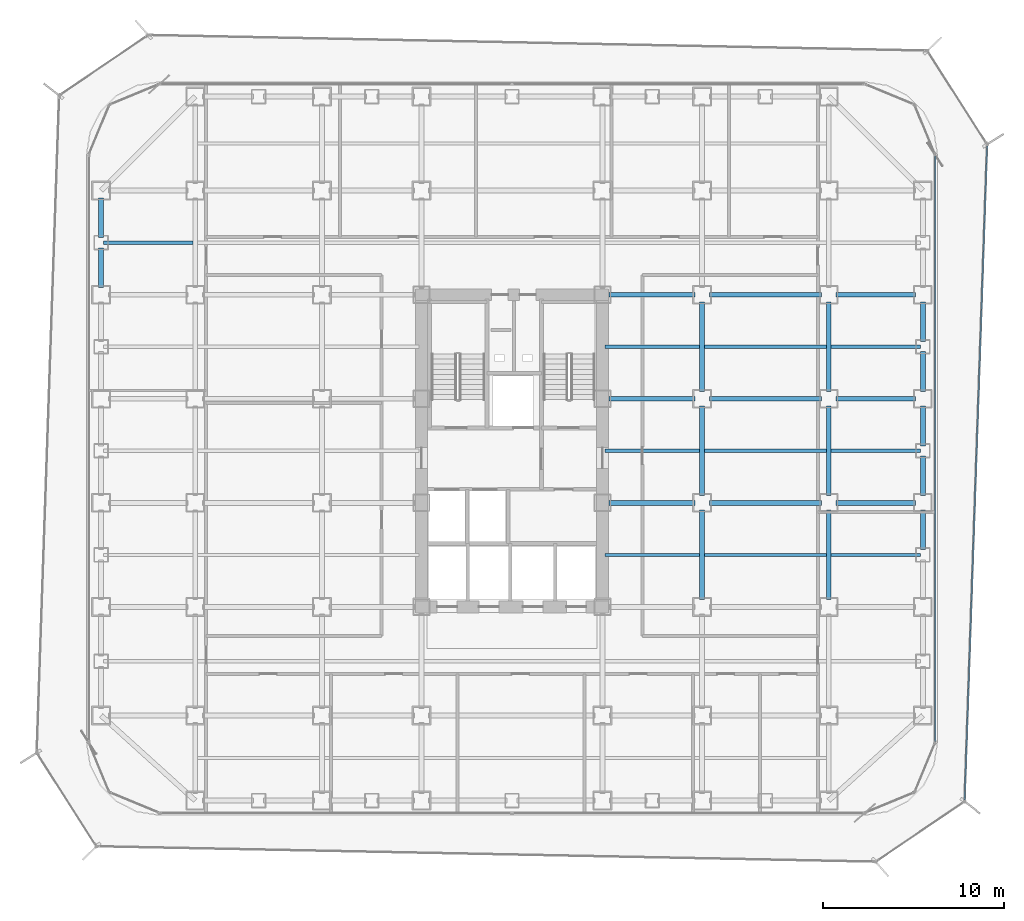
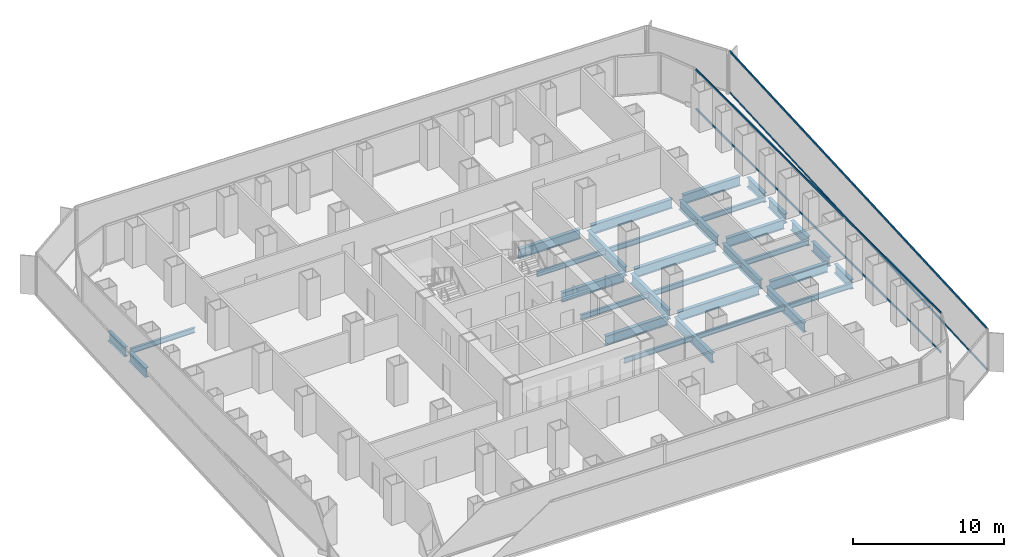
# One storey, part 9 of 22: 32 beams, 4 members, 2 elements without a shape of their own.
"""IFC4 building model written with IfcOpenShell, lengths in metres."""

from ifc_helpers import new_model, si_unit, direction, frame, origin, origin_2d, place, context, subcontext, project, spatial, hollow_rectangle, i_section, extrude, source, transform, mapped, material, layer, layer_set, material_profile, profile_set, type_object, element, aggregate, save


model = new_model("IFC4")

# Units and contexts
model_context = context("Model", 3, precision=1e-05, world=origin(), true_north=direction((0.0, 1.0)))
body_context = subcontext(model_context, "Body", "Model", "MODEL_VIEW")
ifc_project = project(units=[si_unit("LENGTHUNIT", "METRE"), si_unit("AREAUNIT", "SQUARE_METRE"), si_unit("VOLUMEUNIT", "CUBIC_METRE"), si_unit("PLANEANGLEUNIT", "RADIAN"), si_unit("MASSUNIT", "GRAM", prefix="KILO")], contexts=[model_context])

# Site, building, storey
site_placement = place(None, origin())
site = spatial("IfcSite", under=ifc_project, at=site_placement, CompositionType="ELEMENT")
building_placement = place(site_placement, origin())
building = spatial("IfcBuilding", under=site, at=building_placement, Name="Kolveth Station Tower", CompositionType="ELEMENT")
storey_placement = place(building_placement, frame((0.0, 0.0, 84.60009765625)))
storey = spatial("IfcBuildingStorey", under=building, at=storey_placement, Name="L22", CompositionType="ELEMENT", Elevation=84.60009765625)

# Beams
ifc_material_1 = material(Name="Steel S355", Category="steel")
ifc_material_profile_1 = material_profile(ifc_material_1, i_section(OverallWidth=0.26904296875, OverallDepth=0.77490234375, WebThickness=0.01708984375, FlangeThickness=0.0283203125, at=origin_2d()), Name="W760x220")
ifc_profile_set_1 = profile_set([ifc_material_profile_1], Name="Steel S355")
beam_type_1 = type_object("IfcBeamType", Name="Beam_SP1", PredefinedType="SPANDREL", material=ifc_profile_set_1)
shared_shape_1 = source(origin(), body_context, "Body", "SweptSolid", [
    extrude(i_section(OverallWidth=0.26904296875, OverallDepth=0.77490234375, WebThickness=0.01708984375, FlangeThickness=0.0283203125, at=origin_2d()), origin(), (0.0, 0.0, 1.0), 2.2001953125),
])
for number, where, z_axis, x_axis, name in (
    (1, (0.800048828125, 31.89990234375, -0.66748046875), (0.0, 1.0, 0.0), (-1.0, 0.0, 0.0), "L22 Perimeter Spandrel BM-L22-PW-10"),
    (2, (46.199951171875, 20.39990234375, -0.66748046875), (0.0, 1.0, 0.0), (-1.0, 0.0, 0.0), "L22 Perimeter Spandrel BM-L22-PE-6"),
    (3, (46.199951171875, 23.39990234375, -0.66748046875), (0.0, 1.0, 0.0), (-1.0, 0.0, 0.0), "L22 Perimeter Spandrel BM-L22-PE-7"),
):
    element("IfcBeam", number, at=place(storey_placement, frame(where, z_axis=z_axis, x_axis=x_axis)), inside=storey, type_object=beam_type_1, Name=name, PredefinedType="SPANDREL", context=body_context, shape_type="MappedRepresentation", body=[
        mapped(shared_shape_1, transform((0.0, 0.0, 0.0), x_axis=(1.0, 0.0, 0.0), y_axis=(0.0, 1.0, 0.0), z_axis=(0.0, 0.0, 1.0), scale=1.0)),
    ])
shared_shape_2 = source(origin(), body_context, "Body", "SweptSolid", [
    extrude(i_section(OverallWidth=0.26904296875, OverallDepth=0.77490234375, WebThickness=0.01708984375, FlangeThickness=0.0283203125, at=origin_2d()), origin(), (0.0, 0.0, 1.0), 2.190185546875),
])
for number, where, z_axis, x_axis, name in (
    (4, (0.800048828125, 29.14990234375, -0.66748046875), (0.0, 1.0, 0.0), (-1.0, 0.0, 0.0), "L22 Perimeter Spandrel BM-L22-PW-9"),
    (5, (46.199951171875, 14.659912109375, -0.66748046875), (0.0, 1.0, 0.0), (-1.0, 0.0, 0.0), "L22 Perimeter Spandrel BM-L22-PE-4"),
    (6, (46.199951171875, 17.64990234375, -0.66748046875), (0.0, 1.0, 0.0), (-1.0, 0.0, 0.0), "L22 Perimeter Spandrel BM-L22-PE-5"),
    (7, (46.199951171875, 26.159912109375, -0.66748046875), (0.0, 1.0, 0.0), (-1.0, 0.0, 0.0), "L22 Perimeter Spandrel BM-L22-PE-8"),
):
    element("IfcBeam", number, at=place(storey_placement, frame(where, z_axis=z_axis, x_axis=x_axis)), inside=storey, type_object=beam_type_1, Name=name, PredefinedType="SPANDREL", context=body_context, shape_type="MappedRepresentation", body=[
        mapped(shared_shape_2, transform((0.0, 0.0, 0.0), x_axis=(1.0, 0.0, 0.0), y_axis=(0.0, 1.0, 0.0), z_axis=(0.0, 0.0, 1.0), scale=1.0)),
    ])
ifc_material_profile_2 = material_profile(ifc_material_1, i_section(OverallWidth=0.26708984375, OverallDepth=0.76611328125, WebThickness=0.014892578125, FlangeThickness=0.023681640625, at=origin_2d()), Name="W760x185")
ifc_profile_set_2 = profile_set([ifc_material_profile_2], Name="Steel S355")
beam_type_2 = type_object("IfcBeamType", Name="Beam_B3", PredefinedType="BEAM", material=ifc_profile_set_2)
shared_shape_3 = source(origin(), body_context, "Body", "SweptSolid", [
    extrude(i_section(OverallWidth=0.26708984375, OverallDepth=0.76611328125, WebThickness=0.014892578125, FlangeThickness=0.023681640625, at=origin_2d()), origin(), (0.0, 0.0, 1.0), 4.400146484375),
])
for number, where, z_axis, x_axis, name in (
    (8, (41.39990234375, 17.25, -0.6630859375), (1.0, 0.0, 0.0), (0.0, 1.0, 0.0), "L22 Primary Girder BM-L22-GY172-7"),
    (9, (41.39990234375, 23.0, -0.6630859375), (1.0, 0.0, 0.0), (0.0, 1.0, 0.0), "L22 Primary Girder BM-L22-GY230-7"),
    (10, (41.39990234375, 28.75, -0.6630859375), (1.0, 0.0, 0.0), (0.0, 1.0, 0.0), "L22 Primary Girder BM-L22-GY287-7"),
):
    element("IfcBeam", number, at=place(storey_placement, frame(where, z_axis=z_axis, x_axis=x_axis)), inside=storey, type_object=beam_type_2, Name=name, PredefinedType="BEAM", context=body_context, shape_type="MappedRepresentation", body=[
        mapped(shared_shape_3, transform((0.0, 0.0, 0.0), x_axis=(1.0, 0.0, 0.0), y_axis=(0.0, 1.0, 0.0), z_axis=(0.0, 0.0, 1.0), scale=1.0)),
    ])
shared_shape_4 = source(origin(), body_context, "Body", "SweptSolid", [
    extrude(i_section(OverallWidth=0.26708984375, OverallDepth=0.76611328125, WebThickness=0.014892578125, FlangeThickness=0.023681640625, at=origin_2d()), origin(), (0.0, 0.0, 1.0), 6.2001953125),
])
for number, where, z_axis, x_axis, name in (
    (11, (34.39990234375, 17.25, -0.6630859375), (1.0, 0.0, 0.0), (0.0, 1.0, 0.0), "L22 Primary Girder BM-L22-GY172-6"),
    (12, (34.39990234375, 23.0, -0.6630859375), (1.0, 0.0, 0.0), (0.0, 1.0, 0.0), "L22 Primary Girder BM-L22-GY230-6"),
    (13, (34.39990234375, 28.75, -0.6630859375), (1.0, 0.0, 0.0), (0.0, 1.0, 0.0), "L22 Primary Girder BM-L22-GY287-6"),
):
    element("IfcBeam", number, at=place(storey_placement, frame(where, z_axis=z_axis, x_axis=x_axis)), inside=storey, type_object=beam_type_2, Name=name, PredefinedType="BEAM", context=body_context, shape_type="MappedRepresentation", body=[
        mapped(shared_shape_4, transform((0.0, 0.0, 0.0), x_axis=(1.0, 0.0, 0.0), y_axis=(0.0, 1.0, 0.0), z_axis=(0.0, 0.0, 1.0), scale=1.0)),
    ])
shared_shape_5 = source(origin(), body_context, "Body", "SweptSolid", [
    extrude(i_section(OverallWidth=0.26708984375, OverallDepth=0.76611328125, WebThickness=0.014892578125, FlangeThickness=0.023681640625, at=origin_2d()), origin(), (0.0, 0.0, 1.0), 4.739990234375),
])
for number, where, z_axis, x_axis, name in (
    (14, (28.860107421875, 17.25, -0.6630859375), (1.0, 0.0, 0.0), (0.0, 1.0, 0.0), "L22 Primary Girder BM-L22-GY172-5"),
    (15, (28.860107421875, 23.0, -0.6630859375), (1.0, 0.0, 0.0), (0.0, 1.0, 0.0), "L22 Primary Girder BM-L22-GY230-5"),
    (16, (28.860107421875, 28.75, -0.6630859375), (1.0, 0.0, 0.0), (0.0, 1.0, 0.0), "L22 Primary Girder BM-L22-GY287-5"),
):
    element("IfcBeam", number, at=place(storey_placement, frame(where, z_axis=z_axis, x_axis=x_axis)), inside=storey, type_object=beam_type_2, Name=name, PredefinedType="BEAM", context=body_context, shape_type="MappedRepresentation", body=[
        mapped(shared_shape_5, transform((0.0, 0.0, 0.0), x_axis=(1.0, 0.0, 0.0), y_axis=(0.0, 1.0, 0.0), z_axis=(0.0, 0.0, 1.0), scale=1.0)),
    ])
shared_shape_6 = source(origin(), body_context, "Body", "SweptSolid", [
    extrude(i_section(OverallWidth=0.26708984375, OverallDepth=0.76611328125, WebThickness=0.014892578125, FlangeThickness=0.023681640625, at=origin_2d()), origin(), (0.0, 0.0, 1.0), 4.9501953125),
])
for number, where, z_axis, x_axis, name in (
    (17, (34.0, 11.89990234375, -0.6630859375), (0.0, 1.0, 0.0), (-1.0, 0.0, 0.0), "L22 Primary Girder BM-L22-GX340-3"),
    (18, (34.0, 17.64990234375, -0.6630859375), (0.0, 1.0, 0.0), (-1.0, 0.0, 0.0), "L22 Primary Girder BM-L22-GX340-4"),
    (19, (34.0, 23.39990234375, -0.6630859375), (0.0, 1.0, 0.0), (-1.0, 0.0, 0.0), "L22 Primary Girder BM-L22-GX340-5"),
    (20, (41.0, 11.89990234375, -0.6630859375), (0.0, 1.0, 0.0), (-1.0, 0.0, 0.0), "L22 Primary Girder BM-L22-GX410-3"),
    (21, (41.0, 17.64990234375, -0.6630859375), (0.0, 1.0, 0.0), (-1.0, 0.0, 0.0), "L22 Primary Girder BM-L22-GX410-4"),
    (22, (41.0, 23.39990234375, -0.6630859375), (0.0, 1.0, 0.0), (-1.0, 0.0, 0.0), "L22 Primary Girder BM-L22-GX410-5"),
):
    element("IfcBeam", number, at=place(storey_placement, frame(where, z_axis=z_axis, x_axis=x_axis)), inside=storey, type_object=beam_type_2, Name=name, PredefinedType="BEAM", context=body_context, shape_type="MappedRepresentation", body=[
        mapped(shared_shape_6, transform((0.0, 0.0, 0.0), x_axis=(1.0, 0.0, 0.0), y_axis=(0.0, 1.0, 0.0), z_axis=(0.0, 0.0, 1.0), scale=1.0)),
    ])
ifc_material_profile_3 = material_profile(ifc_material_1, i_section(OverallWidth=0.177978515625, OverallDepth=0.406982421875, WebThickness=0.0078125, FlangeThickness=0.0126953125, at=origin_2d()), Name="W410x60")
ifc_profile_set_3 = profile_set([ifc_material_profile_3], Name="Steel S355")
beam_type_3 = type_object("IfcBeamType", Name="Beam_J1", PredefinedType="JOIST", material=ifc_profile_set_3)
shared_shape_7 = source(origin(), body_context, "Body", "SweptSolid", [
    extrude(i_section(OverallWidth=0.177978515625, OverallDepth=0.406982421875, WebThickness=0.0078125, FlangeThickness=0.0126953125, at=origin_2d()), origin(), (0.0, 0.0, 1.0), 4.935791015625),
])
for number, where, z_axis, x_axis, name in (
    (23, (0.9326171875, 31.625, -0.483642578125), (1.0, 0.0, 0.0), (0.0, 1.0, 0.0), "L22 Secondary Joist JST-L22-1-6"),
    (24, (41.131591796875, 14.375, -0.483642578125), (1.0, 0.0, 0.0), (0.0, 1.0, 0.0), "L22 Secondary Joist JST-L22-7-3"),
    (25, (41.131591796875, 20.125, -0.483642578125), (1.0, 0.0, 0.0), (0.0, 1.0, 0.0), "L22 Secondary Joist JST-L22-7-4"),
    (26, (41.131591796875, 25.875, -0.483642578125), (1.0, 0.0, 0.0), (0.0, 1.0, 0.0), "L22 Secondary Joist JST-L22-7-5"),
):
    element("IfcBeam", number, at=place(storey_placement, frame(where, z_axis=z_axis, x_axis=x_axis)), inside=storey, type_object=beam_type_3, Name=name, PredefinedType="JOIST", context=body_context, shape_type="MappedRepresentation", body=[
        mapped(shared_shape_7, transform((0.0, 0.0, 0.0), x_axis=(1.0, 0.0, 0.0), y_axis=(0.0, 1.0, 0.0), z_axis=(0.0, 0.0, 1.0), scale=1.0)),
    ])
shared_shape_8 = source(origin(), body_context, "Body", "SweptSolid", [
    extrude(i_section(OverallWidth=0.177978515625, OverallDepth=0.406982421875, WebThickness=0.0078125, FlangeThickness=0.0126953125, at=origin_2d()), origin(), (0.0, 0.0, 1.0), 6.73681640625),
])
for number, where, z_axis, x_axis, name in (
    (27, (34.131591796875, 14.375, -0.483642578125), (1.0, 0.0, 0.0), (0.0, 1.0, 0.0), "L22 Secondary Joist JST-L22-6-3"),
    (28, (34.131591796875, 20.125, -0.483642578125), (1.0, 0.0, 0.0), (0.0, 1.0, 0.0), "L22 Secondary Joist JST-L22-6-4"),
    (29, (34.131591796875, 25.875, -0.483642578125), (1.0, 0.0, 0.0), (0.0, 1.0, 0.0), "L22 Secondary Joist JST-L22-6-5"),
):
    element("IfcBeam", number, at=place(storey_placement, frame(where, z_axis=z_axis, x_axis=x_axis)), inside=storey, type_object=beam_type_3, Name=name, PredefinedType="JOIST", context=body_context, shape_type="MappedRepresentation", body=[
        mapped(shared_shape_8, transform((0.0, 0.0, 0.0), x_axis=(1.0, 0.0, 0.0), y_axis=(0.0, 1.0, 0.0), z_axis=(0.0, 0.0, 1.0), scale=1.0)),
    ])
shared_shape_9 = source(origin(), body_context, "Body", "SweptSolid", [
    extrude(i_section(OverallWidth=0.177978515625, OverallDepth=0.406982421875, WebThickness=0.0078125, FlangeThickness=0.0126953125, at=origin_2d()), origin(), (0.0, 0.0, 1.0), 5.23681640625),
])
for number, where, z_axis, x_axis, name in (
    (30, (28.631591796875, 14.375, -0.483642578125), (1.0, 0.0, 0.0), (0.0, 1.0, 0.0), "L22 Secondary Joist JST-L22-5-3"),
    (31, (28.631591796875, 20.125, -0.483642578125), (1.0, 0.0, 0.0), (0.0, 1.0, 0.0), "L22 Secondary Joist JST-L22-5-4"),
    (32, (28.631591796875, 25.875, -0.483642578125), (1.0, 0.0, 0.0), (0.0, 1.0, 0.0), "L22 Secondary Joist JST-L22-5-5"),
):
    element("IfcBeam", number, at=place(storey_placement, frame(where, z_axis=z_axis, x_axis=x_axis)), inside=storey, type_object=beam_type_3, Name=name, PredefinedType="JOIST", context=body_context, shape_type="MappedRepresentation", body=[
        mapped(shared_shape_9, transform((0.0, 0.0, 0.0), x_axis=(1.0, 0.0, 0.0), y_axis=(0.0, 1.0, 0.0), z_axis=(0.0, 0.0, 1.0), scale=1.0)),
    ])

# Curtain wall, members
ifc_material_2 = material(Name="Aluminium 6063-T6 and low-E dark glass", Category="aluminium")
ifc_layer_1 = layer(ifc_material_2, 0.179931640625)
ifc_layer_set_1 = layer_set([ifc_layer_1], Name="Aluminium 6063-T6 and low-E dark glass")
curtain_wall_type_1 = type_object("IfcCurtainWallType", Name="CurtainWall_CW-Z1", PredefinedType="NOTDEFINED", material=ifc_layer_set_1)
curtain_wall_1_placement = place(storey_placement, origin())
curtain_wall_1 = element("IfcCurtainWall", 33, at=curtain_wall_1_placement, inside=storey, type_object=curtain_wall_type_1, Name="L22 Inner Thermal Curtain Wall 3", PredefinedType="NOTDEFINED")
ifc_material_3 = material(Name="Black anodized aluminium 6063-T6", Category="aluminium")
ifc_material_profile_4 = material_profile(ifc_material_3, hollow_rectangle(XDim=0.074951171875, YDim=0.159912109375, WallThickness=0.0048828125, at=origin_2d()), Name="ALU-75x160x5")
ifc_profile_set_4 = profile_set([ifc_material_profile_4], Name="Black anodized aluminium 6063-T6")
member_type_1 = type_object("IfcMemberType", Name="Transom_TR1", PredefinedType="USERDEFINED", material=ifc_profile_set_4)
shared_shape_10 = source(origin(), body_context, "Body", "SweptSolid", [
    extrude(hollow_rectangle(XDim=0.074951171875, YDim=0.159912109375, WallThickness=0.0048828125, at=origin_2d()), origin(), (0.0, 0.0, 1.0), 32.35009765625),
])
member_1_placement = place(storey_placement, frame((46.8798828125, 4.074951171875, 0.037353515625), z_axis=(0.0, 1.0, 0.0), x_axis=(-1.0, 0.0, 0.0)))
member_1 = element("IfcMember", 34, at=member_1_placement, type_object=member_type_1, Name="CW-Z1 transom 1.1", ObjectType="TRANSOM", PredefinedType="USERDEFINED", context=body_context, shape_type="MappedRepresentation", body=[
    mapped(shared_shape_10, transform((0.0, 0.0, 0.0), x_axis=(1.0, 0.0, 0.0), y_axis=(0.0, 1.0, 0.0), z_axis=(0.0, 0.0, 1.0), scale=1.0)),
])
member_2_placement = place(storey_placement, frame((46.8798828125, 4.074951171875, 3.202392578125), z_axis=(0.0, 1.0, 0.0), x_axis=(-1.0, 0.0, 0.0)))
member_2 = element("IfcMember", 35, at=member_2_placement, type_object=member_type_1, Name="CW-Z1 transom 1.2", ObjectType="TRANSOM", PredefinedType="USERDEFINED", context=body_context, shape_type="MappedRepresentation", body=[
    mapped(shared_shape_10, transform((0.0, 0.0, 0.0), x_axis=(1.0, 0.0, 0.0), y_axis=(0.0, 1.0, 0.0), z_axis=(0.0, 0.0, 1.0), scale=1.0)),
])
aggregate(curtain_wall_1, [member_1, member_2])

ifc_material_4 = material(Name="Black anodized aluminium 6063-T6 and dark solar glass", Category="aluminium")
ifc_layer_2 = layer(ifc_material_4, 0.159912109375)
ifc_layer_set_2 = layer_set([ifc_layer_2], Name="Black anodized aluminium 6063-T6 and dark solar glass")
curtain_wall_type_2 = type_object("IfcCurtainWallType", Name="OUTER SKIN CW-OS", PredefinedType="NOTDEFINED", material=ifc_layer_set_2)
curtain_wall_2_placement = place(storey_placement, origin())
curtain_wall_2 = element("IfcCurtainWall", 36, at=curtain_wall_2_placement, inside=storey, type_object=curtain_wall_type_2, Name="L22 Outer Ventilated Skin Curtain Wall 2", PredefinedType="NOTDEFINED")
ifc_material_profile_5 = material_profile(ifc_material_3, hollow_rectangle(XDim=0.080078125, YDim=0.14990234375, WallThickness=0.0048828125, at=origin_2d()), Name="ALU-80x150x5")
ifc_profile_set_5 = profile_set([ifc_material_profile_5], Name="Black anodized aluminium 6063-T6")
member_type_2 = type_object("IfcMemberType", Name="Transom_TR-OS", PredefinedType="USERDEFINED", material=ifc_profile_set_5)
shared_shape_11 = source(origin(), body_context, "Body", "SweptSolid", [
    extrude(hollow_rectangle(XDim=0.080078125, YDim=0.14990234375, WallThickness=0.0048828125, at=origin_2d()), origin(), (0.0, 0.0, 1.0), 36.14892578125),
])
member_3_placement = place(storey_placement, frame((48.51220703125, 0.837646484375, 0.039794921875), z_axis=(0.034282001664, 0.999412199426, 0.0), x_axis=(-0.999412199426, 0.034282001664, 0.0)))
member_3 = element("IfcMember", 37, at=member_3_placement, type_object=member_type_2, Name="CW-OS transom 1.1", ObjectType="TRANSOM", PredefinedType="USERDEFINED", context=body_context, shape_type="MappedRepresentation", body=[
    mapped(shared_shape_11, transform((0.0, 0.0, 0.0), x_axis=(1.0, 0.0, 0.0), y_axis=(0.0, 1.0, 0.0), z_axis=(0.0, 0.0, 1.0), scale=1.0)),
])
member_4_placement = place(storey_placement, frame((48.51220703125, 0.837646484375, 3.349853515625), z_axis=(0.034282001664, 0.999412199426, 0.0), x_axis=(-0.999412199426, 0.034282001664, 0.0)))
member_4 = element("IfcMember", 38, at=member_4_placement, type_object=member_type_2, Name="CW-OS transom 1.2", ObjectType="TRANSOM", PredefinedType="USERDEFINED", context=body_context, shape_type="MappedRepresentation", body=[
    mapped(shared_shape_11, transform((0.0, 0.0, 0.0), x_axis=(1.0, 0.0, 0.0), y_axis=(0.0, 1.0, 0.0), z_axis=(0.0, 0.0, 1.0), scale=1.0)),
])
aggregate(curtain_wall_2, [member_3, member_4])

save(model, "model.ifc")
